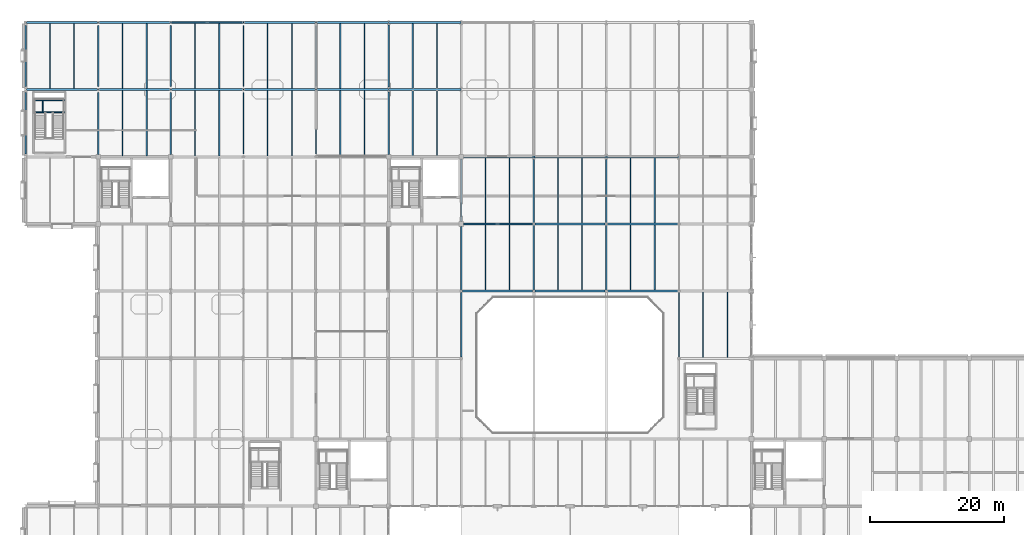
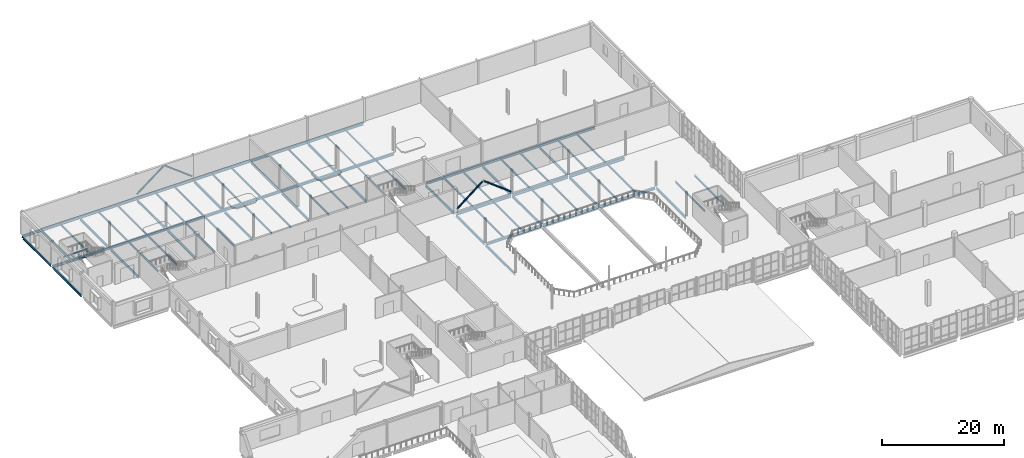
# One storey, part 41 of 92: 80 beams, 4 members.
"""IFC4 building model written with IfcOpenShell, lengths in metres."""

from ifc_helpers import new_model, si_unit, direction, frame, origin, origin_2d, place, context, subcontext, project, spatial, hollow_rectangle, hollow_circle, i_section, extrude, material, material_profile, profile_set, type_object, element, save


model = new_model("IFC4")

# Units and contexts
model_context = context("Model", 3, precision=1e-05, world=origin(), true_north=direction((0.0, 1.0)))
body_context = subcontext(model_context, "Body", "Model", "MODEL_VIEW")
ifc_project = project(units=[si_unit("LENGTHUNIT", "METRE"), si_unit("AREAUNIT", "SQUARE_METRE"), si_unit("VOLUMEUNIT", "CUBIC_METRE"), si_unit("PLANEANGLEUNIT", "RADIAN"), si_unit("MASSUNIT", "GRAM", prefix="KILO")], contexts=[model_context])

# Site, building, storey
site_placement = place(None, origin())
site = spatial("IfcSite", under=ifc_project, at=site_placement, CompositionType="ELEMENT")
building_placement = place(site_placement, origin())
building = spatial("IfcBuilding", under=site, at=building_placement, Name="Tasgan Crest Museum", CompositionType="ELEMENT")
storey_placement = place(building_placement, frame((0.0, 0.0, 4.800048828125)))
storey = spatial("IfcBuildingStorey", under=building, at=storey_placement, Name="L01", CompositionType="ELEMENT", Elevation=4.800048828125)

# Beams
ifc_material_1 = material(Name="Steel S355J2", Category="steel")
ifc_material_profile_1 = material_profile(ifc_material_1, i_section(OverallWidth=0.300048828125, OverallDepth=0.489990234375, WebThickness=0.011962890625, FlangeThickness=0.02294921875, FilletRadius=0.027099609375, at=origin_2d()), Name="HEA 500")
ifc_profile_set_1 = profile_set([ifc_material_profile_1], Name="Steel S355J2")
beam_type_1 = type_object("IfcBeamType", Name="BM-G-HEA500", PredefinedType="BEAM", material=ifc_profile_set_1)
beam_1_placement = place(storey_placement, frame((64.973876953125, 72.0, -0.485107421875), z_axis=(1.0, 0.0, 0.0), x_axis=(0.0, 1.0, 0.0)))
element("IfcBeam", 1, at=beam_1_placement, inside=storey, type_object=beam_type_1, Name="Girder L01 H 64.8-75.6", PredefinedType="BEAM", context=body_context, shape_type="SweptSolid", body=[
    extrude(i_section(OverallWidth=0.300048828125, OverallDepth=0.489990234375, WebThickness=0.011962890625, FlangeThickness=0.02294921875, FilletRadius=0.027099609375, at=origin_2d()), origin(), (0.0, 0.0, 1.0), 10.452392578125),
])
beam_2_placement = place(storey_placement, frame((75.773681640625, 72.0, -0.485107421875), z_axis=(1.0, 0.0, 0.0), x_axis=(0.0, 1.0, 0.0)))
element("IfcBeam", 2, at=beam_2_placement, inside=storey, type_object=beam_type_1, Name="Girder L01 H 75.6-86.4", PredefinedType="BEAM", context=body_context, shape_type="SweptSolid", body=[
    extrude(i_section(OverallWidth=0.300048828125, OverallDepth=0.489990234375, WebThickness=0.011962890625, FlangeThickness=0.02294921875, FilletRadius=0.027099609375, at=origin_2d()), origin(), (0.0, 0.0, 1.0), 10.45263671875),
])
beam_3_placement = place(storey_placement, frame((86.57373046875, 72.0, -0.485107421875), z_axis=(1.0, 0.0, 0.0), x_axis=(0.0, 1.0, 0.0)))
element("IfcBeam", 3, at=beam_3_placement, inside=storey, type_object=beam_type_1, Name="Girder L01 H 86.4-97.2", PredefinedType="BEAM", context=body_context, shape_type="SweptSolid", body=[
    extrude(i_section(OverallWidth=0.300048828125, OverallDepth=0.489990234375, WebThickness=0.011962890625, FlangeThickness=0.02294921875, FilletRadius=0.027099609375, at=origin_2d()), origin(), (0.0, 0.0, 1.0), 10.452392578125),
])
beam_4_placement = place(storey_placement, frame((65.14599609375, 92.0, -0.485107421875), z_axis=(1.0, 0.0, 0.0), x_axis=(0.0, 1.0, 0.0)))
element("IfcBeam", 4, at=beam_4_placement, inside=storey, type_object=beam_type_1, Name="Girder L01 K 64.8-75.6", PredefinedType="BEAM", context=body_context, shape_type="SweptSolid", body=[
    extrude(i_section(OverallWidth=0.300048828125, OverallDepth=0.489990234375, WebThickness=0.011962890625, FlangeThickness=0.02294921875, FilletRadius=0.027099609375, at=origin_2d()), origin(), (0.0, 0.0, 1.0), 10.448486328125),
])
for number, where, z_axis, x_axis, name in (
    (5, (75.60546875, 92.0, -0.485107421875), (1.0, 0.0, 0.0), (0.0, 1.0, 0.0), "Girder L01 K 75.6-86.4"),
    (6, (86.405517578125, 92.0, -0.485107421875), (1.0, 0.0, 0.0), (0.0, 1.0, 0.0), "Girder L01 K 86.4-97.2"),
):
    element("IfcBeam", number, at=place(storey_placement, frame(where, z_axis=z_axis, x_axis=x_axis)), inside=storey, type_object=beam_type_1, Name=name, PredefinedType="BEAM", context=body_context, shape_type="SweptSolid", body=[
        extrude(i_section(OverallWidth=0.300048828125, OverallDepth=0.489990234375, WebThickness=0.011962890625, FlangeThickness=0.02294921875, FilletRadius=0.027099609375, at=origin_2d()), origin(), (0.0, 0.0, 1.0), 10.7890625),
    ])
beam_5_placement = place(storey_placement, frame((0.00732421875, 102.0, -0.485107421875), z_axis=(1.0, 0.0, 0.0), x_axis=(0.0, 1.0, 0.0)))
element("IfcBeam", 7, at=beam_5_placement, inside=storey, type_object=beam_type_1, Name="Girder L01 L 0.0-10.8", PredefinedType="BEAM", context=body_context, shape_type="SweptSolid", body=[
    extrude(i_section(OverallWidth=0.300048828125, OverallDepth=0.489990234375, WebThickness=0.011962890625, FlangeThickness=0.02294921875, FilletRadius=0.027099609375, at=origin_2d()), origin(), (0.0, 0.0, 1.0), 10.785400390625),
])
for number, where, z_axis, x_axis, name in (
    (8, (10.80712890625, 102.0, -0.485107421875), (1.0, 0.0, 0.0), (0.0, 1.0, 0.0), "Girder L01 L 10.8-21.6"),
    (9, (21.607177734375, 102.0, -0.485107421875), (1.0, 0.0, 0.0), (0.0, 1.0, 0.0), "Girder L01 L 21.6-32.4"),
    (10, (32.4072265625, 102.0, -0.485107421875), (1.0, 0.0, 0.0), (0.0, 1.0, 0.0), "Girder L01 L 32.4-43.2"),
):
    element("IfcBeam", number, at=place(storey_placement, frame(where, z_axis=z_axis, x_axis=x_axis)), inside=storey, type_object=beam_type_1, Name=name, PredefinedType="BEAM", context=body_context, shape_type="SweptSolid", body=[
        extrude(i_section(OverallWidth=0.300048828125, OverallDepth=0.489990234375, WebThickness=0.011962890625, FlangeThickness=0.02294921875, FilletRadius=0.027099609375, at=origin_2d()), origin(), (0.0, 0.0, 1.0), 10.78564453125),
    ])
beam_6_placement = place(storey_placement, frame((43.207275390625, 102.0, -0.485107421875), z_axis=(1.0, 0.0, 0.0), x_axis=(0.0, 1.0, 0.0)))
element("IfcBeam", 11, at=beam_6_placement, inside=storey, type_object=beam_type_1, Name="Girder L01 L 43.2-54.0", PredefinedType="BEAM", context=body_context, shape_type="SweptSolid", body=[
    extrude(i_section(OverallWidth=0.300048828125, OverallDepth=0.489990234375, WebThickness=0.011962890625, FlangeThickness=0.02294921875, FilletRadius=0.027099609375, at=origin_2d()), origin(), (0.0, 0.0, 1.0), 10.787109375),
])
beam_7_placement = place(storey_placement, frame((54.005615234375, 102.0, -0.485107421875), z_axis=(1.0, 0.0, 0.0), x_axis=(0.0, 1.0, 0.0)))
element("IfcBeam", 12, at=beam_7_placement, inside=storey, type_object=beam_type_1, Name="Girder L01 L 54.0-64.8", PredefinedType="BEAM", context=body_context, shape_type="SweptSolid", body=[
    extrude(i_section(OverallWidth=0.300048828125, OverallDepth=0.489990234375, WebThickness=0.011962890625, FlangeThickness=0.02294921875, FilletRadius=0.027099609375, at=origin_2d()), origin(), (0.0, 0.0, 1.0), 10.788818359375),
])
beam_8_placement = place(storey_placement, frame((0.00732421875, 112.0, -0.485107421875), z_axis=(1.0, 0.0, 0.0), x_axis=(0.0, 1.0, 0.0)))
element("IfcBeam", 13, at=beam_8_placement, inside=storey, type_object=beam_type_1, Name="Girder L01 M 0.0-10.8", PredefinedType="BEAM", context=body_context, shape_type="SweptSolid", body=[
    extrude(i_section(OverallWidth=0.300048828125, OverallDepth=0.489990234375, WebThickness=0.011962890625, FlangeThickness=0.02294921875, FilletRadius=0.027099609375, at=origin_2d()), origin(), (0.0, 0.0, 1.0), 10.785400390625),
])
for number, where, z_axis, x_axis, name in (
    (14, (10.80712890625, 112.0, -0.485107421875), (1.0, 0.0, 0.0), (0.0, 1.0, 0.0), "Girder L01 M 10.8-21.6"),
    (15, (21.607177734375, 112.0, -0.485107421875), (1.0, 0.0, 0.0), (0.0, 1.0, 0.0), "Girder L01 M 21.6-32.4"),
    (16, (32.4072265625, 112.0, -0.485107421875), (1.0, 0.0, 0.0), (0.0, 1.0, 0.0), "Girder L01 M 32.4-43.2"),
):
    element("IfcBeam", number, at=place(storey_placement, frame(where, z_axis=z_axis, x_axis=x_axis)), inside=storey, type_object=beam_type_1, Name=name, PredefinedType="BEAM", context=body_context, shape_type="SweptSolid", body=[
        extrude(i_section(OverallWidth=0.300048828125, OverallDepth=0.489990234375, WebThickness=0.011962890625, FlangeThickness=0.02294921875, FilletRadius=0.027099609375, at=origin_2d()), origin(), (0.0, 0.0, 1.0), 10.78564453125),
    ])
beam_9_placement = place(storey_placement, frame((43.207275390625, 112.0, -0.485107421875), z_axis=(1.0, 0.0, 0.0), x_axis=(0.0, 1.0, 0.0)))
element("IfcBeam", 17, at=beam_9_placement, inside=storey, type_object=beam_type_1, Name="Girder L01 M 43.2-54.0", PredefinedType="BEAM", context=body_context, shape_type="SweptSolid", body=[
    extrude(i_section(OverallWidth=0.300048828125, OverallDepth=0.489990234375, WebThickness=0.011962890625, FlangeThickness=0.02294921875, FilletRadius=0.027099609375, at=origin_2d()), origin(), (0.0, 0.0, 1.0), 10.787109375),
])
beam_10_placement = place(storey_placement, frame((54.005615234375, 112.0, -0.485107421875), z_axis=(1.0, 0.0, 0.0), x_axis=(0.0, 1.0, 0.0)))
element("IfcBeam", 18, at=beam_10_placement, inside=storey, type_object=beam_type_1, Name="Girder L01 M 54.0-64.8", PredefinedType="BEAM", context=body_context, shape_type="SweptSolid", body=[
    extrude(i_section(OverallWidth=0.300048828125, OverallDepth=0.489990234375, WebThickness=0.011962890625, FlangeThickness=0.02294921875, FilletRadius=0.027099609375, at=origin_2d()), origin(), (0.0, 0.0, 1.0), 10.788818359375),
])
ifc_material_2 = material(Name="Steel S355K2", Category="steel")
ifc_material_profile_2 = material_profile(ifc_material_2, i_section(OverallWidth=0.300048828125, OverallDepth=0.550048828125, WebThickness=0.014892578125, FlangeThickness=0.029052734375, FilletRadius=0.027099609375, at=origin_2d()), Name="HEB 550")
ifc_profile_set_2 = profile_set([ifc_material_profile_2], Name="Steel S355K2")
beam_type_2 = type_object("IfcBeamType", Name="BM-G-HEB550", PredefinedType="BEAM", material=ifc_profile_set_2)
beam_11_placement = place(storey_placement, frame((65.14599609375, 82.0, -0.51513671875), z_axis=(1.0, 0.0, 0.0), x_axis=(0.0, 1.0, 0.0)))
element("IfcBeam", 19, at=beam_11_placement, inside=storey, type_object=beam_type_2, Name="Girder L01 J 64.8-75.6", PredefinedType="BEAM", context=body_context, shape_type="SweptSolid", body=[
    extrude(i_section(OverallWidth=0.300048828125, OverallDepth=0.550048828125, WebThickness=0.014892578125, FlangeThickness=0.029052734375, FilletRadius=0.027099609375, at=origin_2d()), origin(), (0.0, 0.0, 1.0), 10.2802734375),
])
beam_12_placement = place(storey_placement, frame((75.773681640625, 82.0, -0.51513671875), z_axis=(1.0, 0.0, 0.0), x_axis=(0.0, 1.0, 0.0)))
element("IfcBeam", 20, at=beam_12_placement, inside=storey, type_object=beam_type_2, Name="Girder L01 J 75.6-86.4", PredefinedType="BEAM", context=body_context, shape_type="SweptSolid", body=[
    extrude(i_section(OverallWidth=0.300048828125, OverallDepth=0.550048828125, WebThickness=0.014892578125, FlangeThickness=0.029052734375, FilletRadius=0.027099609375, at=origin_2d()), origin(), (0.0, 0.0, 1.0), 10.45263671875),
])
beam_13_placement = place(storey_placement, frame((86.57373046875, 82.0, -0.51513671875), z_axis=(1.0, 0.0, 0.0), x_axis=(0.0, 1.0, 0.0)))
element("IfcBeam", 21, at=beam_13_placement, inside=storey, type_object=beam_type_2, Name="Girder L01 J 86.4-97.2", PredefinedType="BEAM", context=body_context, shape_type="SweptSolid", body=[
    extrude(i_section(OverallWidth=0.300048828125, OverallDepth=0.550048828125, WebThickness=0.014892578125, FlangeThickness=0.029052734375, FilletRadius=0.027099609375, at=origin_2d()), origin(), (0.0, 0.0, 1.0), 10.452392578125),
])
ifc_material_3 = material(Name="Steel S355J2", Category="steel")
ifc_material_profile_3 = material_profile(ifc_material_3, i_section(OverallWidth=0.199951171875, OverallDepth=0.5, WebThickness=0.01025390625, FlangeThickness=0.01611328125, FilletRadius=0.02099609375, at=origin_2d()), Name="IPE 500")
ifc_profile_set_3 = profile_set([ifc_material_profile_3], Name="Steel S355J2")
beam_type_3 = type_object("IfcBeamType", Name="BM-G-IPE500", PredefinedType="BEAM", material=ifc_profile_set_3)
for number, where, z_axis, x_axis, name in (
    (22, (0.0, 92.445068359375, -0.489990234375), (0.0, 1.0, 0.0), (-1.0, 0.0, 0.0), "Beam L01 1 92.0-102.0"),
    (23, (0.0, 102.445068359375, -0.489990234375), (0.0, 1.0, 0.0), (-1.0, 0.0, 0.0), "Beam L01 1 102.0-112.0"),
):
    element("IfcBeam", number, at=place(storey_placement, frame(where, z_axis=z_axis, x_axis=x_axis)), inside=storey, type_object=beam_type_3, Name=name, PredefinedType="BEAM", context=body_context, shape_type="SweptSolid", body=[
        extrude(i_section(OverallWidth=0.199951171875, OverallDepth=0.5, WebThickness=0.01025390625, FlangeThickness=0.01611328125, FilletRadius=0.02099609375, at=origin_2d()), origin(), (0.0, 0.0, 1.0), 9.10986328125),
    ])
beam_14_placement = place(storey_placement, frame((10.800048828125, 92.344970703125, -0.489990234375), z_axis=(0.0, 1.0, 0.0), x_axis=(-1.0, 0.0, 0.0)))
element("IfcBeam", 24, at=beam_14_placement, inside=storey, type_object=beam_type_3, Name="Beam L01 2 92.0-102.0", PredefinedType="BEAM", context=body_context, shape_type="SweptSolid", body=[
    extrude(i_section(OverallWidth=0.199951171875, OverallDepth=0.5, WebThickness=0.01025390625, FlangeThickness=0.01611328125, FilletRadius=0.02099609375, at=origin_2d()), origin(), (0.0, 0.0, 1.0), 9.2099609375),
])
beam_15_placement = place(storey_placement, frame((10.800048828125, 102.445068359375, -0.489990234375), z_axis=(0.0, 1.0, 0.0), x_axis=(-1.0, 0.0, 0.0)))
element("IfcBeam", 25, at=beam_15_placement, inside=storey, type_object=beam_type_3, Name="Beam L01 2 102.0-112.0", PredefinedType="BEAM", context=body_context, shape_type="SweptSolid", body=[
    extrude(i_section(OverallWidth=0.199951171875, OverallDepth=0.5, WebThickness=0.01025390625, FlangeThickness=0.01611328125, FilletRadius=0.02099609375, at=origin_2d()), origin(), (0.0, 0.0, 1.0), 9.10986328125),
])
beam_16_placement = place(storey_placement, frame((21.60009765625, 92.344970703125, -0.489990234375), z_axis=(0.0, 1.0, 0.0), x_axis=(-1.0, 0.0, 0.0)))
element("IfcBeam", 26, at=beam_16_placement, inside=storey, type_object=beam_type_3, Name="Beam L01 3 92.0-102.0", PredefinedType="BEAM", context=body_context, shape_type="SweptSolid", body=[
    extrude(i_section(OverallWidth=0.199951171875, OverallDepth=0.5, WebThickness=0.01025390625, FlangeThickness=0.01611328125, FilletRadius=0.02099609375, at=origin_2d()), origin(), (0.0, 0.0, 1.0), 9.2099609375),
])
for number, where, z_axis, x_axis, name in (
    (27, (21.60009765625, 102.445068359375, -0.489990234375), (0.0, 1.0, 0.0), (-1.0, 0.0, 0.0), "Beam L01 3 102.0-112.0"),
    (28, (32.39990234375, 92.445068359375, -0.489990234375), (0.0, 1.0, 0.0), (-1.0, 0.0, 0.0), "Beam L01 4 92.0-102.0"),
    (29, (32.39990234375, 102.445068359375, -0.489990234375), (0.0, 1.0, 0.0), (-1.0, 0.0, 0.0), "Beam L01 4 102.0-112.0"),
    (30, (43.199951171875, 92.445068359375, -0.489990234375), (0.0, 1.0, 0.0), (-1.0, 0.0, 0.0), "Beam L01 5 92.0-102.0"),
    (31, (43.199951171875, 102.445068359375, -0.489990234375), (0.0, 1.0, 0.0), (-1.0, 0.0, 0.0), "Beam L01 5 102.0-112.0"),
):
    element("IfcBeam", number, at=place(storey_placement, frame(where, z_axis=z_axis, x_axis=x_axis)), inside=storey, type_object=beam_type_3, Name=name, PredefinedType="BEAM", context=body_context, shape_type="SweptSolid", body=[
        extrude(i_section(OverallWidth=0.199951171875, OverallDepth=0.5, WebThickness=0.01025390625, FlangeThickness=0.01611328125, FilletRadius=0.02099609375, at=origin_2d()), origin(), (0.0, 0.0, 1.0), 9.10986328125),
    ])
beam_17_placement = place(storey_placement, frame((54.0, 92.344970703125, -0.489990234375), z_axis=(0.0, 1.0, 0.0), x_axis=(-1.0, 0.0, 0.0)))
element("IfcBeam", 32, at=beam_17_placement, inside=storey, type_object=beam_type_3, Name="Beam L01 6 92.0-102.0", PredefinedType="BEAM", context=body_context, shape_type="SweptSolid", body=[
    extrude(i_section(OverallWidth=0.199951171875, OverallDepth=0.5, WebThickness=0.01025390625, FlangeThickness=0.01611328125, FilletRadius=0.02099609375, at=origin_2d()), origin(), (0.0, 0.0, 1.0), 9.26513671875),
])
beam_18_placement = place(storey_placement, frame((54.0, 102.389892578125, -0.489990234375), z_axis=(0.0, 1.0, 0.0), x_axis=(-1.0, 0.0, 0.0)))
element("IfcBeam", 33, at=beam_18_placement, inside=storey, type_object=beam_type_3, Name="Beam L01 6 102.0-112.0", PredefinedType="BEAM", context=body_context, shape_type="SweptSolid", body=[
    extrude(i_section(OverallWidth=0.199951171875, OverallDepth=0.5, WebThickness=0.01025390625, FlangeThickness=0.01611328125, FilletRadius=0.02099609375, at=origin_2d()), origin(), (0.0, 0.0, 1.0), 9.22021484375),
])
beam_19_placement = place(storey_placement, frame((64.800048828125, 62.1728515625, -0.489990234375), z_axis=(0.0, 1.0, 0.0), x_axis=(-1.0, 0.0, 0.0)))
element("IfcBeam", 34, at=beam_19_placement, inside=storey, type_object=beam_type_3, Name="Beam L01 7 62.0-72.0", PredefinedType="BEAM", context=body_context, shape_type="SweptSolid", body=[
    extrude(i_section(OverallWidth=0.199951171875, OverallDepth=0.5, WebThickness=0.01025390625, FlangeThickness=0.01611328125, FilletRadius=0.02099609375, at=origin_2d()), origin(), (0.0, 0.0, 1.0), 9.654296875),
])
beam_20_placement = place(storey_placement, frame((64.800048828125, 72.1728515625, -0.489990234375), z_axis=(0.0, 1.0, 0.0), x_axis=(-1.0, 0.0, 0.0)))
element("IfcBeam", 35, at=beam_20_placement, inside=storey, type_object=beam_type_3, Name="Beam L01 7 72.0-82.0", PredefinedType="BEAM", context=body_context, shape_type="SweptSolid", body=[
    extrude(i_section(OverallWidth=0.199951171875, OverallDepth=0.5, WebThickness=0.01025390625, FlangeThickness=0.01611328125, FilletRadius=0.02099609375, at=origin_2d()), origin(), (0.0, 0.0, 1.0), 9.482177734375),
])
beam_21_placement = place(storey_placement, frame((64.800048828125, 82.344970703125, -0.489990234375), z_axis=(0.0, 1.0, 0.0), x_axis=(-1.0, 0.0, 0.0)))
element("IfcBeam", 36, at=beam_21_placement, inside=storey, type_object=beam_type_3, Name="Beam L01 7 82.0-92.0", PredefinedType="BEAM", context=body_context, shape_type="SweptSolid", body=[
    extrude(i_section(OverallWidth=0.199951171875, OverallDepth=0.5, WebThickness=0.01025390625, FlangeThickness=0.01611328125, FilletRadius=0.02099609375, at=origin_2d()), origin(), (0.0, 0.0, 1.0), 9.31005859375),
])
beam_22_placement = place(storey_placement, frame((75.60009765625, 72.1728515625, -0.489990234375), z_axis=(0.0, 1.0, 0.0), x_axis=(-1.0, 0.0, 0.0)))
element("IfcBeam", 37, at=beam_22_placement, inside=storey, type_object=beam_type_3, Name="Beam L01 8 72.0-82.0", PredefinedType="BEAM", context=body_context, shape_type="SweptSolid", body=[
    extrude(i_section(OverallWidth=0.199951171875, OverallDepth=0.5, WebThickness=0.01025390625, FlangeThickness=0.01611328125, FilletRadius=0.02099609375, at=origin_2d()), origin(), (0.0, 0.0, 1.0), 9.654296875),
])
beam_23_placement = place(storey_placement, frame((75.60009765625, 82.1728515625, -0.489990234375), z_axis=(0.0, 1.0, 0.0), x_axis=(-1.0, 0.0, 0.0)))
element("IfcBeam", 38, at=beam_23_placement, inside=storey, type_object=beam_type_3, Name="Beam L01 8 82.0-92.0", PredefinedType="BEAM", context=body_context, shape_type="SweptSolid", body=[
    extrude(i_section(OverallWidth=0.199951171875, OverallDepth=0.5, WebThickness=0.01025390625, FlangeThickness=0.01611328125, FilletRadius=0.02099609375, at=origin_2d()), origin(), (0.0, 0.0, 1.0), 9.437255859375),
])
beam_24_placement = place(storey_placement, frame((86.39990234375, 72.1728515625, -0.489990234375), z_axis=(0.0, 1.0, 0.0), x_axis=(-1.0, 0.0, 0.0)))
element("IfcBeam", 39, at=beam_24_placement, inside=storey, type_object=beam_type_3, Name="Beam L01 9 72.0-82.0", PredefinedType="BEAM", context=body_context, shape_type="SweptSolid", body=[
    extrude(i_section(OverallWidth=0.199951171875, OverallDepth=0.5, WebThickness=0.01025390625, FlangeThickness=0.01611328125, FilletRadius=0.02099609375, at=origin_2d()), origin(), (0.0, 0.0, 1.0), 9.654296875),
])
beam_25_placement = place(storey_placement, frame((86.39990234375, 82.1728515625, -0.489990234375), z_axis=(0.0, 1.0, 0.0), x_axis=(-1.0, 0.0, 0.0)))
element("IfcBeam", 40, at=beam_25_placement, inside=storey, type_object=beam_type_3, Name="Beam L01 9 82.0-92.0", PredefinedType="BEAM", context=body_context, shape_type="SweptSolid", body=[
    extrude(i_section(OverallWidth=0.199951171875, OverallDepth=0.5, WebThickness=0.01025390625, FlangeThickness=0.01611328125, FilletRadius=0.02099609375, at=origin_2d()), origin(), (0.0, 0.0, 1.0), 9.437255859375),
])
beam_26_placement = place(storey_placement, frame((97.199951171875, 62.1728515625, -0.489990234375), z_axis=(0.0, 1.0, 0.0), x_axis=(-1.0, 0.0, 0.0)))
element("IfcBeam", 41, at=beam_26_placement, inside=storey, type_object=beam_type_3, Name="Beam L01 10 62.0-72.0", PredefinedType="BEAM", context=body_context, shape_type="SweptSolid", body=[
    extrude(i_section(OverallWidth=0.199951171875, OverallDepth=0.5, WebThickness=0.01025390625, FlangeThickness=0.01611328125, FilletRadius=0.02099609375, at=origin_2d()), origin(), (0.0, 0.0, 1.0), 9.654296875),
])
ifc_material_4 = material(Name="Steel S355J2", Category="steel")
ifc_material_profile_4 = material_profile(ifc_material_4, i_section(OverallWidth=0.169921875, OverallDepth=0.360107421875, WebThickness=0.008056640625, FlangeThickness=0.0126953125, FilletRadius=0.01806640625, at=origin_2d()), Name="IPE 360")
ifc_profile_set_4 = profile_set([ifc_material_profile_4], Name="Steel S355J2")
beam_type_4 = type_object("IfcBeamType", Name="BM-J-IPE360", PredefinedType="JOIST", material=ifc_profile_set_4)
for number, where, z_axis, x_axis, name in (
    (42, (3.60009765625, 102.14501953125, -0.420166015625), (0.0, 1.0, 0.0), (-1.0, 0.0, 0.0), "Secondary joist L01 X=3.6 Y=102.0-112.0"),
    (43, (7.199951171875, 102.14501953125, -0.420166015625), (0.0, 1.0, 0.0), (-1.0, 0.0, 0.0), "Secondary joist L01 X=7.2 Y=102.0-112.0"),
    (44, (14.39990234375, 92.14501953125, -0.420166015625), (0.0, 1.0, 0.0), (-1.0, 0.0, 0.0), "Secondary joist L01 X=14.4 Y=92.0-102.0"),
    (45, (18.0, 92.14501953125, -0.420166015625), (0.0, 1.0, 0.0), (-1.0, 0.0, 0.0), "Secondary joist L01 X=18.0 Y=92.0-102.0"),
    (46, (14.39990234375, 102.14501953125, -0.420166015625), (0.0, 1.0, 0.0), (-1.0, 0.0, 0.0), "Secondary joist L01 X=14.4 Y=102.0-112.0"),
    (47, (18.0, 102.14501953125, -0.420166015625), (0.0, 1.0, 0.0), (-1.0, 0.0, 0.0), "Secondary joist L01 X=18.0 Y=102.0-112.0"),
    (48, (25.199951171875, 92.14501953125, -0.420166015625), (0.0, 1.0, 0.0), (-1.0, 0.0, 0.0), "Secondary joist L01 X=25.2 Y=92.0-102.0"),
    (49, (28.800048828125, 92.14501953125, -0.420166015625), (0.0, 1.0, 0.0), (-1.0, 0.0, 0.0), "Secondary joist L01 X=28.8 Y=92.0-102.0"),
    (50, (25.199951171875, 102.14501953125, -0.420166015625), (0.0, 1.0, 0.0), (-1.0, 0.0, 0.0), "Secondary joist L01 X=25.2 Y=102.0-112.0"),
    (51, (28.800048828125, 102.14501953125, -0.420166015625), (0.0, 1.0, 0.0), (-1.0, 0.0, 0.0), "Secondary joist L01 X=28.8 Y=102.0-112.0"),
    (52, (36.0, 92.14501953125, -0.420166015625), (0.0, 1.0, 0.0), (-1.0, 0.0, 0.0), "Secondary joist L01 X=36.0 Y=92.0-102.0"),
    (53, (39.60009765625, 92.14501953125, -0.420166015625), (0.0, 1.0, 0.0), (-1.0, 0.0, 0.0), "Secondary joist L01 X=39.6 Y=92.0-102.0"),
    (54, (36.0, 102.14501953125, -0.420166015625), (0.0, 1.0, 0.0), (-1.0, 0.0, 0.0), "Secondary joist L01 X=36.0 Y=102.0-112.0"),
    (55, (39.60009765625, 102.14501953125, -0.420166015625), (0.0, 1.0, 0.0), (-1.0, 0.0, 0.0), "Secondary joist L01 X=39.6 Y=102.0-112.0"),
    (56, (46.800048828125, 92.14501953125, -0.420166015625), (0.0, 1.0, 0.0), (-1.0, 0.0, 0.0), "Secondary joist L01 X=46.8 Y=92.0-102.0"),
    (57, (50.39990234375, 92.14501953125, -0.420166015625), (0.0, 1.0, 0.0), (-1.0, 0.0, 0.0), "Secondary joist L01 X=50.4 Y=92.0-102.0"),
    (58, (46.800048828125, 102.14501953125, -0.420166015625), (0.0, 1.0, 0.0), (-1.0, 0.0, 0.0), "Secondary joist L01 X=46.8 Y=102.0-112.0"),
    (59, (50.39990234375, 102.14501953125, -0.420166015625), (0.0, 1.0, 0.0), (-1.0, 0.0, 0.0), "Secondary joist L01 X=50.4 Y=102.0-112.0"),
    (60, (68.39990234375, 72.14501953125, -0.420166015625), (0.0, 1.0, 0.0), (-1.0, 0.0, 0.0), "Secondary joist L01 X=68.4 Y=72.0-82.0"),
    (61, (72.0, 72.14501953125, -0.420166015625), (0.0, 1.0, 0.0), (-1.0, 0.0, 0.0), "Secondary joist L01 X=72.0 Y=72.0-82.0"),
    (62, (68.39990234375, 82.14501953125, -0.420166015625), (0.0, 1.0, 0.0), (-1.0, 0.0, 0.0), "Secondary joist L01 X=68.4 Y=82.0-92.0"),
    (63, (72.0, 82.14501953125, -0.420166015625), (0.0, 1.0, 0.0), (-1.0, 0.0, 0.0), "Secondary joist L01 X=72.0 Y=82.0-92.0"),
    (64, (79.199951171875, 72.14501953125, -0.420166015625), (0.0, 1.0, 0.0), (-1.0, 0.0, 0.0), "Secondary joist L01 X=79.2 Y=72.0-82.0"),
    (65, (82.800048828125, 72.14501953125, -0.420166015625), (0.0, 1.0, 0.0), (-1.0, 0.0, 0.0), "Secondary joist L01 X=82.8 Y=72.0-82.0"),
    (66, (79.199951171875, 82.14501953125, -0.420166015625), (0.0, 1.0, 0.0), (-1.0, 0.0, 0.0), "Secondary joist L01 X=79.2 Y=82.0-92.0"),
    (67, (82.800048828125, 82.14501953125, -0.420166015625), (0.0, 1.0, 0.0), (-1.0, 0.0, 0.0), "Secondary joist L01 X=82.8 Y=82.0-92.0"),
    (68, (90.0, 72.14501953125, -0.420166015625), (0.0, 1.0, 0.0), (-1.0, 0.0, 0.0), "Secondary joist L01 X=90.0 Y=72.0-82.0"),
    (69, (93.60009765625, 72.14501953125, -0.420166015625), (0.0, 1.0, 0.0), (-1.0, 0.0, 0.0), "Secondary joist L01 X=93.6 Y=72.0-82.0"),
    (70, (90.0, 82.14501953125, -0.420166015625), (0.0, 1.0, 0.0), (-1.0, 0.0, 0.0), "Secondary joist L01 X=90.0 Y=82.0-92.0"),
    (71, (93.60009765625, 82.14501953125, -0.420166015625), (0.0, 1.0, 0.0), (-1.0, 0.0, 0.0), "Secondary joist L01 X=93.6 Y=82.0-92.0"),
    (72, (100.800048828125, 62.14501953125, -0.420166015625), (0.0, 1.0, 0.0), (-1.0, 0.0, 0.0), "Secondary joist L01 X=100.8 Y=62.0-72.0"),
    (73, (104.39990234375, 62.14501953125, -0.420166015625), (0.0, 1.0, 0.0), (-1.0, 0.0, 0.0), "Secondary joist L01 X=104.4 Y=62.0-72.0"),
):
    element("IfcBeam", number, at=place(storey_placement, frame(where, z_axis=z_axis, x_axis=x_axis)), inside=storey, type_object=beam_type_4, Name=name, PredefinedType="JOIST", context=body_context, shape_type="SweptSolid", body=[
        extrude(i_section(OverallWidth=0.169921875, OverallDepth=0.360107421875, WebThickness=0.008056640625, FlangeThickness=0.0126953125, FilletRadius=0.01806640625, at=origin_2d()), origin(), (0.0, 0.0, 1.0), 9.7099609375),
    ])
ifc_material_5 = material(Name="Steel S355J2", Category="steel")
ifc_material_profile_5 = material_profile(ifc_material_5, hollow_rectangle(XDim=0.219970703125, YDim=0.219970703125, WallThickness=0.012451171875, InnerFilletRadius=0.012451171875, OuterFilletRadius=0.02490234375, at=origin_2d()), Name="SHS 220x220x12.5")
ifc_profile_set_5 = profile_set([ifc_material_profile_5], Name="Steel S355J2")
beam_type_5 = type_object("IfcBeamType", Name="BM-J-SHS220", PredefinedType="JOIST", material=ifc_profile_set_5)
for number, where, z_axis, x_axis, name in (
    (74, (57.60009765625, 92.14501953125, -0.35009765625), (0.0, 1.0, 0.0), (-1.0, 0.0, 0.0), "Secondary joist L01 X=57.6 Y=92.0-102.0"),
    (75, (61.199951171875, 92.14501953125, -0.35009765625), (0.0, 1.0, 0.0), (-1.0, 0.0, 0.0), "Secondary joist L01 X=61.2 Y=92.0-102.0"),
    (76, (57.60009765625, 102.14501953125, -0.35009765625), (0.0, 1.0, 0.0), (-1.0, 0.0, 0.0), "Secondary joist L01 X=57.6 Y=102.0-112.0"),
    (77, (61.199951171875, 102.14501953125, -0.35009765625), (0.0, 1.0, 0.0), (-1.0, 0.0, 0.0), "Secondary joist L01 X=61.2 Y=102.0-112.0"),
):
    element("IfcBeam", number, at=place(storey_placement, frame(where, z_axis=z_axis, x_axis=x_axis)), inside=storey, type_object=beam_type_5, Name=name, PredefinedType="JOIST", context=body_context, shape_type="SweptSolid", body=[
        extrude(hollow_rectangle(XDim=0.219970703125, YDim=0.219970703125, WallThickness=0.012451171875, InnerFilletRadius=0.012451171875, OuterFilletRadius=0.02490234375, at=origin_2d()), origin(), (0.0, 0.0, 1.0), 9.7099609375),
    ])
ifc_material_6 = material(Name="Steel S355J2", Category="steel")
ifc_material_profile_6 = material_profile(ifc_material_6, i_section(OverallWidth=0.1201171875, OverallDepth=0.239990234375, WebThickness=0.006103515625, FlangeThickness=0.009765625, FilletRadius=0.014892578125, at=origin_2d()), Name="IPE 240")
ifc_profile_set_6 = profile_set([ifc_material_profile_6], Name="Steel S355J2")
beam_type_6 = type_object("IfcBeamType", Name="BM-LAND-IPE240", PredefinedType="BEAM", material=ifc_profile_set_6)
beam_27_placement = place(storey_placement, frame((2.550048828125, 98.6650390625, 2.079833984375), z_axis=(0.0, 1.0, 0.0), x_axis=(-1.0, 0.0, 0.0)))
element("IfcBeam", 78, at=beam_27_placement, inside=storey, type_object=beam_type_6, Name="Stair half-landing crossbeam ST-GW-L01 T1", PredefinedType="BEAM", context=body_context, shape_type="SweptSolid", body=[
    extrude(i_section(OverallWidth=0.1201171875, OverallDepth=0.239990234375, WebThickness=0.006103515625, FlangeThickness=0.009765625, FilletRadius=0.014892578125, at=origin_2d()), origin(), (0.0, 0.0, 1.0), 1.679931640625),
])
ifc_material_7 = material(Name="Steel S355J2", Category="steel")
ifc_material_profile_7 = material_profile(ifc_material_7, i_section(OverallWidth=0.135009765625, OverallDepth=0.27001953125, WebThickness=0.006591796875, FlangeThickness=0.01025390625, FilletRadius=0.014892578125, at=origin_2d()), Name="IPE 270")
ifc_profile_set_7 = profile_set([ifc_material_profile_7], Name="Steel S355J2")
beam_type_7 = type_object("IfcBeamType", Name="BM-LAND-IPE270", PredefinedType="BEAM", material=ifc_profile_set_7)
for number, where, z_axis, x_axis, name in (
    (79, (1.179931640625, 98.60498046875, 2.06494140625), (1.0, 0.0, 0.0), (0.0, 1.0, 0.0), "Stair half-landing beam ST-GW-L01 T1F"),
    (80, (1.179931640625, 100.405029296875, 2.06494140625), (1.0, 0.0, 0.0), (0.0, 1.0, 0.0), "Stair half-landing beam ST-GW-L01 T1B"),
):
    element("IfcBeam", number, at=place(storey_placement, frame(where, z_axis=z_axis, x_axis=x_axis)), inside=storey, type_object=beam_type_7, Name=name, PredefinedType="BEAM", context=body_context, shape_type="SweptSolid", body=[
        extrude(i_section(OverallWidth=0.135009765625, OverallDepth=0.27001953125, WebThickness=0.006591796875, FlangeThickness=0.01025390625, FilletRadius=0.014892578125, at=origin_2d()), origin(), (0.0, 0.0, 1.0), 4.64013671875),
    ])

# Members
ifc_material_8 = material(Name="Steel S355K2", Category="steel")
ifc_material_profile_8 = material_profile(ifc_material_8, hollow_circle(Radius=0.161865234375, WallThickness=0.01416015625, at=origin_2d()), Name="CHS 323.9x14.2")
ifc_profile_set_8 = profile_set([ifc_material_profile_8], Name="Steel S355K2")
member_type = type_object("IfcMemberType", Name="MEM-BRACE-CHS323", PredefinedType="BRACE", material=ifc_profile_set_8)
for number, where, z_axis, x_axis, name in (
    (81, (21.761962890625, 112.0, 0.349853515625), (0.795373361138, 0.0, 0.606119803663), (0.0, 1.0, 0.0), "Chevron brace L L01 M 21.6"),
    (82, (32.238037109375, 112.0, 0.349853515625), (-0.795373361138, 0.0, 0.606119803663), (0.0, -1.0, 0.0), "Chevron brace R L01 M 32.4"),
):
    element("IfcMember", number, at=place(storey_placement, frame(where, z_axis=z_axis, x_axis=x_axis)), inside=storey, type_object=member_type, Name=name, PredefinedType="BRACE", context=body_context, shape_type="SweptSolid", body=[
        extrude(hollow_circle(Radius=0.161865234375, WallThickness=0.01416015625, at=origin_2d()), origin(), (0.0, 0.0, 1.0), 6.4345703125),
    ])
member_1_placement = place(storey_placement, frame((65.14990234375, 82.0, 0.349853515625), z_axis=(0.784271001606, 0.0, 0.620418404014), x_axis=(0.0, 1.0, 0.0)))
element("IfcMember", 83, at=member_1_placement, inside=storey, type_object=member_type, Name="Chevron brace L L01 J 64.8", PredefinedType="BRACE", context=body_context, shape_type="SweptSolid", body=[
    extrude(hollow_circle(Radius=0.161865234375, WallThickness=0.01416015625, at=origin_2d()), origin(), (0.0, 0.0, 1.0), 6.286376953125),
])
member_2_placement = place(storey_placement, frame((75.422119140625, 82.0, 0.349853515625), z_axis=(-0.794464648158, 0.0, 0.607310400724), x_axis=(0.0, -1.0, 0.0)))
element("IfcMember", 84, at=member_2_placement, inside=storey, type_object=member_type, Name="Chevron brace R L01 J 75.6", PredefinedType="BRACE", context=body_context, shape_type="SweptSolid", body=[
    extrude(hollow_circle(Radius=0.161865234375, WallThickness=0.01416015625, at=origin_2d()), origin(), (0.0, 0.0, 1.0), 6.422119140625),
])

save(model, "model.ifc")
